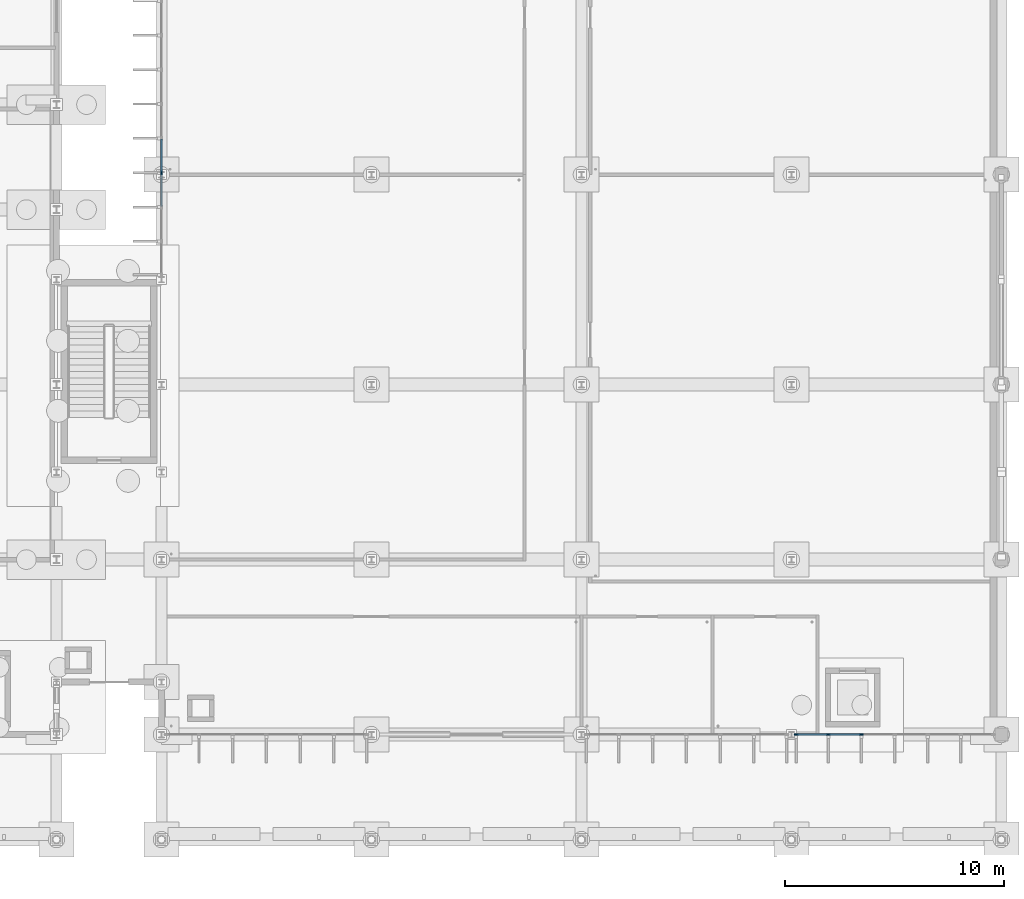
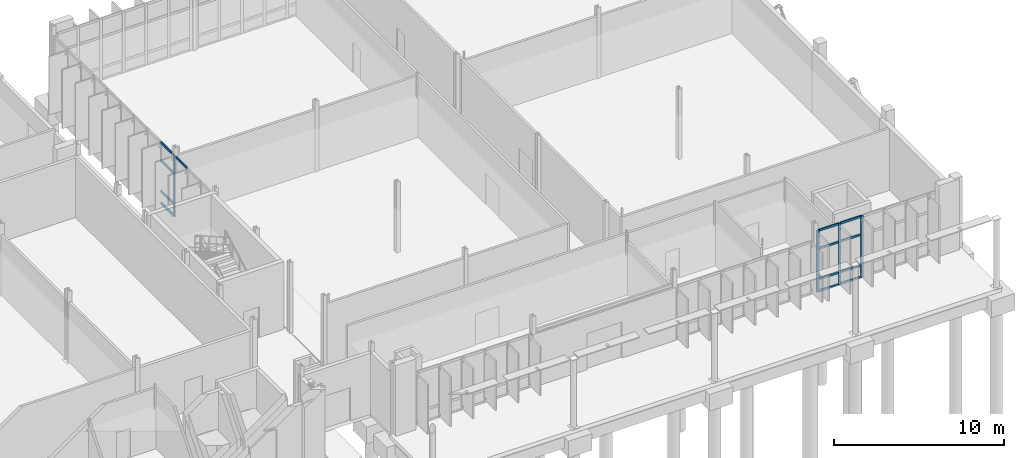
# One storey, part 37 of 111: 17 members, 2 elements without a shape of their own.
"""IFC4 building model written with IfcOpenShell, lengths in metres."""

from ifc_helpers import new_model, si_unit, direction, frame, origin, origin_2d, place, context, subcontext, project, spatial, rectangle, extrude, material, material_profile, profile_set, type_object, element, aggregate, save


model = new_model("IFC4")

# Units and contexts
model_context = context("Model", 3, precision=1e-05, world=origin(), true_north=direction((0.0, 1.0)))
body_context = subcontext(model_context, "Body", "Model", "MODEL_VIEW")
ifc_project = project(units=[si_unit("LENGTHUNIT", "METRE"), si_unit("AREAUNIT", "SQUARE_METRE"), si_unit("VOLUMEUNIT", "CUBIC_METRE"), si_unit("PLANEANGLEUNIT", "RADIAN"), si_unit("MASSUNIT", "GRAM", prefix="KILO")], contexts=[model_context])

# Site, building, storey
site_placement = place(None, origin())
site = spatial("IfcSite", under=ifc_project, at=site_placement, CompositionType="ELEMENT")
building_placement = place(site_placement, origin())
building = spatial("IfcBuilding", under=site, at=building_placement, Name="Dunescarp Central Library", CompositionType="ELEMENT")
storey_placement = place(building_placement, origin())
storey = spatial("IfcBuildingStorey", under=building, at=storey_placement, Name="L00", CompositionType="ELEMENT", Elevation=0.0)

# Curtain wall, members
ifc_material = material(Name="Marine-grade anodised aluminium 6063-T6", Category="aluminium")
curtain_wall_type = type_object("IfcCurtainWallType", Name="ARC-CW-STICK", PredefinedType="NOTDEFINED", material=ifc_material)
curtain_wall_1_placement = place(storey_placement, origin())
curtain_wall_1 = element("IfcCurtainWall", 1, at=curtain_wall_1_placement, inside=storey, type_object=curtain_wall_type, Name="L00 curtain wall CW-V5-148", PredefinedType="NOTDEFINED")
ifc_material_profile_1 = material_profile(ifc_material, rectangle(XDim=0.080078125, YDim=0.179931640625, at=origin_2d()), Name="AL 80x180")
ifc_profile_set_1 = profile_set([ifc_material_profile_1], Name="Marine-grade anodised aluminium 6063-T6")
member_type_1 = type_object("IfcMemberType", Name="ARC-CWM-180", PredefinedType="MULLION", material=ifc_profile_set_1)
member_1_placement = place(storey_placement, frame((161.60498046875, 4.800048828125, 0.0), z_axis=(0.0, 0.0, 1.0), x_axis=(0.0, -1.0, 0.0)))
member_1 = element("IfcMember", 2, at=member_1_placement, type_object=member_type_1, Name="CW-V5-148 mullion 5", PredefinedType="MULLION", context=body_context, shape_type="SweptSolid", body=[
    extrude(rectangle(XDim=0.080078125, YDim=0.179931640625, at=origin_2d()), origin(), (0.0, 0.0, 1.0), 4.44189453125),
])
member_2_placement = place(storey_placement, frame((160.090087890625, 4.800048828125, 0.0), z_axis=(0.0, 0.0, 1.0), x_axis=(0.0, -1.0, 0.0)))
member_2 = element("IfcMember", 3, at=member_2_placement, type_object=member_type_1, Name="CW-V5-148 mullion 6", PredefinedType="MULLION", context=body_context, shape_type="SweptSolid", body=[
    extrude(rectangle(XDim=0.080078125, YDim=0.179931640625, at=origin_2d()), origin(), (0.0, 0.0, 1.0), 4.44189453125),
])
member_3_placement = place(storey_placement, frame((158.614990234375, 4.800048828125, 0.0), z_axis=(0.0, 0.0, 1.0), x_axis=(0.0, -1.0, 0.0)))
member_3 = element("IfcMember", 4, at=member_3_placement, type_object=member_type_1, Name="CW-V5-148 mullion 7", PredefinedType="MULLION", context=body_context, shape_type="SweptSolid", body=[
    extrude(rectangle(XDim=0.080078125, YDim=0.179931640625, at=origin_2d()), origin(), (0.0, 0.0, 1.0), 4.44189453125),
])

# Curtain wall, member
curtain_wall_2_placement = place(storey_placement, origin())
curtain_wall_2 = element("IfcCurtainWall", 5, at=curtain_wall_2_placement, inside=storey, type_object=curtain_wall_type, Name="L00 curtain wall CW-V5-152", PredefinedType="NOTDEFINED")
member_4_placement = place(storey_placement, frame((129.60009765625, 30.487548828125, 0.0), z_axis=(0.0, 0.0, 1.0), x_axis=(-1.0, 0.0, 0.0)))
member_4 = element("IfcMember", 6, at=member_4_placement, type_object=member_type_1, Name="CW-V5-152 mullion 4", PredefinedType="MULLION", context=body_context, shape_type="SweptSolid", body=[
    extrude(rectangle(XDim=0.080078125, YDim=0.179931640625, at=origin_2d()), origin(), (0.0, 0.0, 1.0), 4.44189453125),
])

# Member
ifc_material_profile_2 = material_profile(ifc_material, rectangle(XDim=0.080078125, YDim=0.14990234375, at=origin_2d()), Name="AL 80x150")
ifc_profile_set_2 = profile_set([ifc_material_profile_2], Name="Marine-grade anodised aluminium 6063-T6")
member_type_2 = type_object("IfcMemberType", Name="ARC-CWT-150", PredefinedType="USERDEFINED", material=ifc_profile_set_2)
member_5_placement = place(storey_placement, frame((161.56494140625, 4.800048828125, 0.0400390625), z_axis=(-1.0, 0.0, 0.0), x_axis=(0.0, -1.0, 0.0)))
member_5 = element("IfcMember", 7, at=member_5_placement, type_object=member_type_2, Name="CW-V5-148 transom 5.1", ObjectType="TRANSOM", PredefinedType="USERDEFINED", context=body_context, shape_type="SweptSolid", body=[
    extrude(rectangle(XDim=0.080078125, YDim=0.14990234375, at=origin_2d()), origin(), (0.0, 0.0, 1.0), 1.43505859375),
])

member_6_placement = place(storey_placement, frame((161.56494140625, 4.800048828125, 0.89990234375), z_axis=(-1.0, 0.0, 0.0), x_axis=(0.0, -1.0, 0.0)))
member_6 = element("IfcMember", 8, at=member_6_placement, type_object=member_type_2, Name="CW-V5-148 transom 5.2", ObjectType="TRANSOM", PredefinedType="USERDEFINED", context=body_context, shape_type="SweptSolid", body=[
    extrude(rectangle(XDim=0.080078125, YDim=0.14990234375, at=origin_2d()), origin(), (0.0, 0.0, 1.0), 1.43505859375),
])

member_7_placement = place(storey_placement, frame((161.56494140625, 4.800048828125, 3.10009765625), z_axis=(-1.0, 0.0, 0.0), x_axis=(0.0, -1.0, 0.0)))
member_7 = element("IfcMember", 9, at=member_7_placement, type_object=member_type_2, Name="CW-V5-148 transom 5.3", ObjectType="TRANSOM", PredefinedType="USERDEFINED", context=body_context, shape_type="SweptSolid", body=[
    extrude(rectangle(XDim=0.080078125, YDim=0.14990234375, at=origin_2d()), origin(), (0.0, 0.0, 1.0), 1.43505859375),
])

member_8_placement = place(storey_placement, frame((161.56494140625, 4.800048828125, 4.402099609375), z_axis=(-1.0, 0.0, 0.0), x_axis=(0.0, -1.0, 0.0)))
member_8 = element("IfcMember", 10, at=member_8_placement, type_object=member_type_2, Name="CW-V5-148 transom 5.4", ObjectType="TRANSOM", PredefinedType="USERDEFINED", context=body_context, shape_type="SweptSolid", body=[
    extrude(rectangle(XDim=0.080078125, YDim=0.14990234375, at=origin_2d()), origin(), (0.0, 0.0, 1.0), 1.43505859375),
])

member_9_placement = place(storey_placement, frame((160.050048828125, 4.800048828125, 0.0400390625), z_axis=(-1.0, 0.0, 0.0), x_axis=(0.0, -1.0, 0.0)))
member_9 = element("IfcMember", 11, at=member_9_placement, type_object=member_type_2, Name="CW-V5-148 transom 6.1", ObjectType="TRANSOM", PredefinedType="USERDEFINED", context=body_context, shape_type="SweptSolid", body=[
    extrude(rectangle(XDim=0.080078125, YDim=0.14990234375, at=origin_2d()), origin(), (0.0, 0.0, 1.0), 1.39501953125),
])

member_10_placement = place(storey_placement, frame((160.050048828125, 4.800048828125, 0.89990234375), z_axis=(-1.0, 0.0, 0.0), x_axis=(0.0, -1.0, 0.0)))
member_10 = element("IfcMember", 12, at=member_10_placement, type_object=member_type_2, Name="CW-V5-148 transom 6.2", ObjectType="TRANSOM", PredefinedType="USERDEFINED", context=body_context, shape_type="SweptSolid", body=[
    extrude(rectangle(XDim=0.080078125, YDim=0.14990234375, at=origin_2d()), origin(), (0.0, 0.0, 1.0), 1.39501953125),
])

member_11_placement = place(storey_placement, frame((160.050048828125, 4.800048828125, 3.10009765625), z_axis=(-1.0, 0.0, 0.0), x_axis=(0.0, -1.0, 0.0)))
member_11 = element("IfcMember", 13, at=member_11_placement, type_object=member_type_2, Name="CW-V5-148 transom 6.3", ObjectType="TRANSOM", PredefinedType="USERDEFINED", context=body_context, shape_type="SweptSolid", body=[
    extrude(rectangle(XDim=0.080078125, YDim=0.14990234375, at=origin_2d()), origin(), (0.0, 0.0, 1.0), 1.39501953125),
])

member_12_placement = place(storey_placement, frame((160.050048828125, 4.800048828125, 4.402099609375), z_axis=(-1.0, 0.0, 0.0), x_axis=(0.0, -1.0, 0.0)))
member_12 = element("IfcMember", 14, at=member_12_placement, type_object=member_type_2, Name="CW-V5-148 transom 6.4", ObjectType="TRANSOM", PredefinedType="USERDEFINED", context=body_context, shape_type="SweptSolid", body=[
    extrude(rectangle(XDim=0.080078125, YDim=0.14990234375, at=origin_2d()), origin(), (0.0, 0.0, 1.0), 1.39501953125),
])

aggregate(curtain_wall_1, [member_1, member_2, member_3, member_5, member_6, member_7, member_8, member_9, member_10, member_11, member_12])

member_13_placement = place(storey_placement, frame((129.60009765625, 28.956787109375, 4.402099609375), z_axis=(0.0, 1.0, 0.0), x_axis=(-1.0, 0.0, 0.0)))
member_13 = element("IfcMember", 15, at=member_13_placement, type_object=member_type_2, Name="CW-V5-152 transom 3.4", ObjectType="TRANSOM", PredefinedType="USERDEFINED", context=body_context, shape_type="SweptSolid", body=[
    extrude(rectangle(XDim=0.080078125, YDim=0.14990234375, at=origin_2d()), origin(), (0.0, 0.0, 1.0), 1.49072265625),
])

member_14_placement = place(storey_placement, frame((129.60009765625, 30.527587890625, 0.0400390625), z_axis=(0.0, 1.0, 0.0), x_axis=(-1.0, 0.0, 0.0)))
member_14 = element("IfcMember", 16, at=member_14_placement, type_object=member_type_2, Name="CW-V5-152 transom 4.1", ObjectType="TRANSOM", PredefinedType="USERDEFINED", context=body_context, shape_type="SweptSolid", body=[
    extrude(rectangle(XDim=0.080078125, YDim=0.14990234375, at=origin_2d()), origin(), (0.0, 0.0, 1.0), 1.49072265625),
])

member_15_placement = place(storey_placement, frame((129.60009765625, 30.527587890625, 0.89990234375), z_axis=(0.0, 1.0, 0.0), x_axis=(-1.0, 0.0, 0.0)))
member_15 = element("IfcMember", 17, at=member_15_placement, type_object=member_type_2, Name="CW-V5-152 transom 4.2", ObjectType="TRANSOM", PredefinedType="USERDEFINED", context=body_context, shape_type="SweptSolid", body=[
    extrude(rectangle(XDim=0.080078125, YDim=0.14990234375, at=origin_2d()), origin(), (0.0, 0.0, 1.0), 1.49072265625),
])

member_16_placement = place(storey_placement, frame((129.60009765625, 30.527587890625, 3.10009765625), z_axis=(0.0, 1.0, 0.0), x_axis=(-1.0, 0.0, 0.0)))
member_16 = element("IfcMember", 18, at=member_16_placement, type_object=member_type_2, Name="CW-V5-152 transom 4.3", ObjectType="TRANSOM", PredefinedType="USERDEFINED", context=body_context, shape_type="SweptSolid", body=[
    extrude(rectangle(XDim=0.080078125, YDim=0.14990234375, at=origin_2d()), origin(), (0.0, 0.0, 1.0), 1.49072265625),
])

member_17_placement = place(storey_placement, frame((129.60009765625, 30.527587890625, 4.402099609375), z_axis=(0.0, 1.0, 0.0), x_axis=(-1.0, 0.0, 0.0)))
member_17 = element("IfcMember", 19, at=member_17_placement, type_object=member_type_2, Name="CW-V5-152 transom 4.4", ObjectType="TRANSOM", PredefinedType="USERDEFINED", context=body_context, shape_type="SweptSolid", body=[
    extrude(rectangle(XDim=0.080078125, YDim=0.14990234375, at=origin_2d()), origin(), (0.0, 0.0, 1.0), 1.49072265625),
])

aggregate(curtain_wall_2, [member_4, member_13, member_14, member_15, member_16, member_17])

save(model, "model.ifc")
